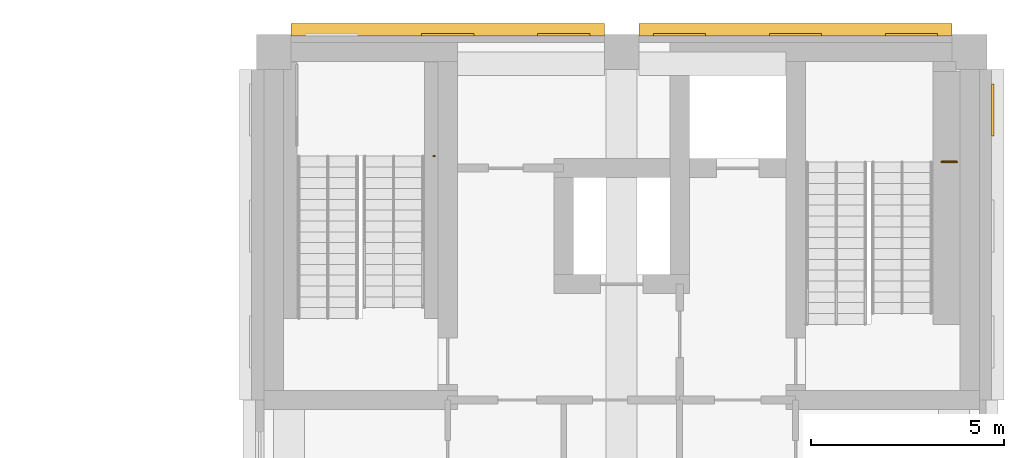
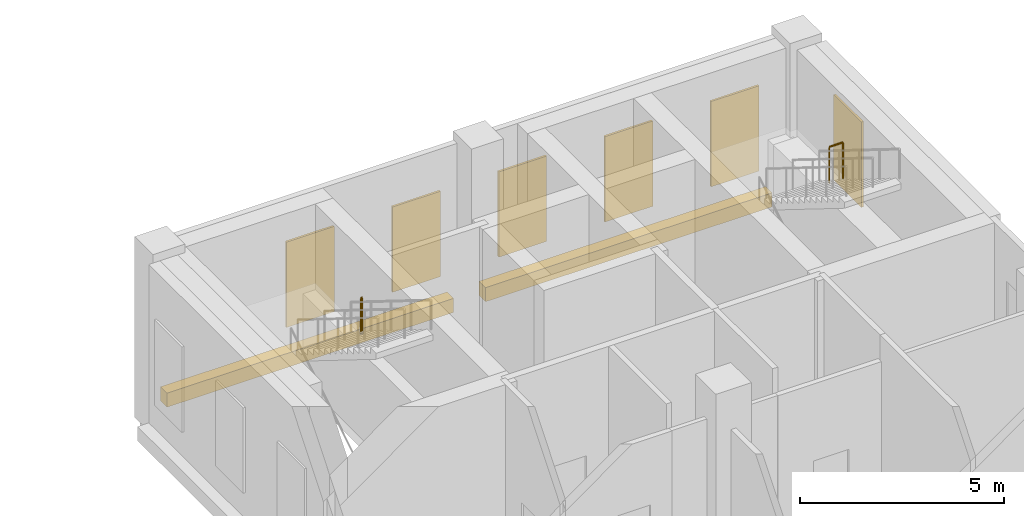
# One storey, part 49 of 53: 8 coverings, 2 railings.
"""IFC4 building model written with IfcOpenShell, lengths in metres."""

from ifc_helpers import new_model, si_unit, direction, frame, origin, origin_2d, place, context, subcontext, project, spatial, rectangle, circle, extrude, material, layer, layer_set, type_object, element, save


model = new_model("IFC4")

# Units and contexts
model_context = context("Model", 3, precision=1e-05, world=origin(), true_north=direction((0.0, 1.0)))
body_context = subcontext(model_context, "Body", "Model", "MODEL_VIEW")
ifc_project = project(units=[si_unit("LENGTHUNIT", "METRE"), si_unit("AREAUNIT", "SQUARE_METRE"), si_unit("VOLUMEUNIT", "CUBIC_METRE"), si_unit("PLANEANGLEUNIT", "RADIAN"), si_unit("MASSUNIT", "GRAM", prefix="KILO")], contexts=[model_context])

# Site, building, storey
site_placement = place(None, origin())
site = spatial("IfcSite", under=ifc_project, at=site_placement, CompositionType="ELEMENT")
building_placement = place(site_placement, origin())
building = spatial("IfcBuilding", under=site, at=building_placement, Name="Aurelan Courthouse", CompositionType="ELEMENT")
storey_placement = place(building_placement, frame((0.0, 0.0, 12.0)))
storey = spatial("IfcBuildingStorey", under=building, at=storey_placement, Name="L02", CompositionType="ELEMENT", Elevation=12.0)

# Coverings
ifc_material_1 = material(Name="Bronze sheet cladding")
ifc_layer = layer(ifc_material_1, 0.06005859375)
ifc_layer_set = layer_set([ifc_layer], Name="Bronze sheet cladding")
covering_type_1 = type_object("IfcCoveringType", Name="Law Library blind bay 1350 x 2550", PredefinedType="CLADDING", material=ifc_layer_set)
for number, where, z_axis, x_axis, name in (
    (1, (76.5, 66.449951171875, 1.2001953125), (0.0, 0.0, 1.0), (1.0, 0.0, 0.0), "Blind bay BB-V3-L02-002"),
    (2, (79.5, 66.449951171875, 1.2001953125), (0.0, 0.0, 1.0), (1.0, 0.0, 0.0), "Blind bay BB-V3-L02-003"),
    (3, (82.5, 66.449951171875, 1.2001953125), (0.0, 0.0, 1.0), (1.0, 0.0, 0.0), "Blind bay BB-V3-L02-004"),
    (4, (85.5, 66.449951171875, 1.2001953125), (0.0, 0.0, 1.0), (1.0, 0.0, 0.0), "Blind bay BB-V3-L02-005"),
    (5, (88.5, 66.449951171875, 1.2001953125), (0.0, 0.0, 1.0), (1.0, 0.0, 0.0), "Blind bay BB-V3-L02-006"),
):
    element("IfcCovering", number, at=place(storey_placement, frame(where, z_axis=z_axis, x_axis=x_axis)), inside=storey, type_object=covering_type_1, Name=name, PredefinedType="CLADDING", context=body_context, shape_type="SweptSolid", body=[
        extrude(rectangle(XDim=1.35009765625, YDim=0.06005859375, at=origin_2d()), origin(), (0.0, 0.0, 1.0), 2.550048828125),
    ])
covering_placement = place(storey_placement, frame((90.60009765625, 64.5, 1.2001953125), z_axis=(0.0, 0.0, 1.0), x_axis=(1.0, 0.0, 0.0)))
element("IfcCovering", 6, at=covering_placement, inside=storey, type_object=covering_type_1, Name="Blind bay BB-V3-L02-009", PredefinedType="CLADDING", context=body_context, shape_type="SweptSolid", body=[
    extrude(rectangle(XDim=0.06005859375, YDim=1.35009765625, at=origin_2d()), origin(), (0.0, 0.0, 1.0), 2.550048828125),
])
ifc_material_2 = material(Name="Limestone cladding", Category="masonry")
covering_type_2 = type_object("IfcCoveringType", Name="Law Library string course 420 x 320", PredefinedType="CLADDING", material=ifc_material_2)
for number, where, z_axis, x_axis, name in (
    (7, (76.5, 66.580078125, 0.0), (0.0, 0.0, 1.0), (1.0, 0.0, 0.0), "String course SC-V3-009"),
    (8, (85.5, 66.580078125, 0.0), (0.0, 0.0, 1.0), (1.0, 0.0, 0.0), "String course SC-V3-010"),
):
    element("IfcCovering", number, at=place(storey_placement, frame(where, z_axis=z_axis, x_axis=x_axis)), inside=storey, type_object=covering_type_2, Name=name, PredefinedType="CLADDING", context=body_context, shape_type="SweptSolid", body=[
        extrude(rectangle(XDim=8.10009765625, YDim=0.320068359375, at=origin_2d()), origin(), (0.0, 0.0, 1.0), 0.419921875),
    ])

# Railings
ifc_material_3 = material(Name="Steel S355", Category="steel")
railing_type = type_object("IfcRailingType", Name="Stair guard 1100", PredefinedType="GUARDRAIL", material=ifc_material_3)
railing_1_placement = place(storey_placement, frame((76.169921875, 63.31005859375, 2.787109375)))
element("IfcRailing", 9, at=railing_1_placement, inside=storey, type_object=railing_type, Name="Guard ST-3A-L02-GL2", PredefinedType="GUARDRAIL", context=body_context, shape_type="SweptSolid", body=[
    extrude(circle(Radius=0.02392578125, at=origin_2d()), frame((0.0, 0.0, 1.076171875), z_axis=(-1.0, 0.0, 0.0), x_axis=(0.0, -1.0, 0.0)), (0.0, 0.0, 1.0), 0.0400390625),
    extrude(circle(Radius=0.02099609375, at=origin_2d()), origin(), (0.0, 0.0, 1.0), 1.052001953125),
    extrude(circle(Radius=0.02099609375, at=origin_2d()), frame((-0.0400390625, 0.0, 0.0)), (0.0, 0.0, 1.0), 1.052001953125),
])
railing_2_placement = place(storey_placement, frame((89.669921875, 63.159912109375, 2.787109375)))
element("IfcRailing", 10, at=railing_2_placement, inside=storey, type_object=railing_type, Name="Guard ST-3B-L02-GL1", PredefinedType="GUARDRAIL", context=body_context, shape_type="SweptSolid", body=[
    extrude(circle(Radius=0.02392578125, at=origin_2d()), frame((0.0, 0.0, 1.076171875), z_axis=(-1.0, 0.0, 0.0), x_axis=(0.0, -1.0, 0.0)), (0.0, 0.0, 1.0), 0.389892578125),
    extrude(circle(Radius=0.02099609375, at=origin_2d()), origin(), (0.0, 0.0, 1.0), 1.052001953125),
    extrude(circle(Radius=0.02099609375, at=origin_2d()), frame((-0.389892578125, 0.0, 0.0)), (0.0, 0.0, 1.0), 1.052001953125),
])

save(model, "model.ifc")
